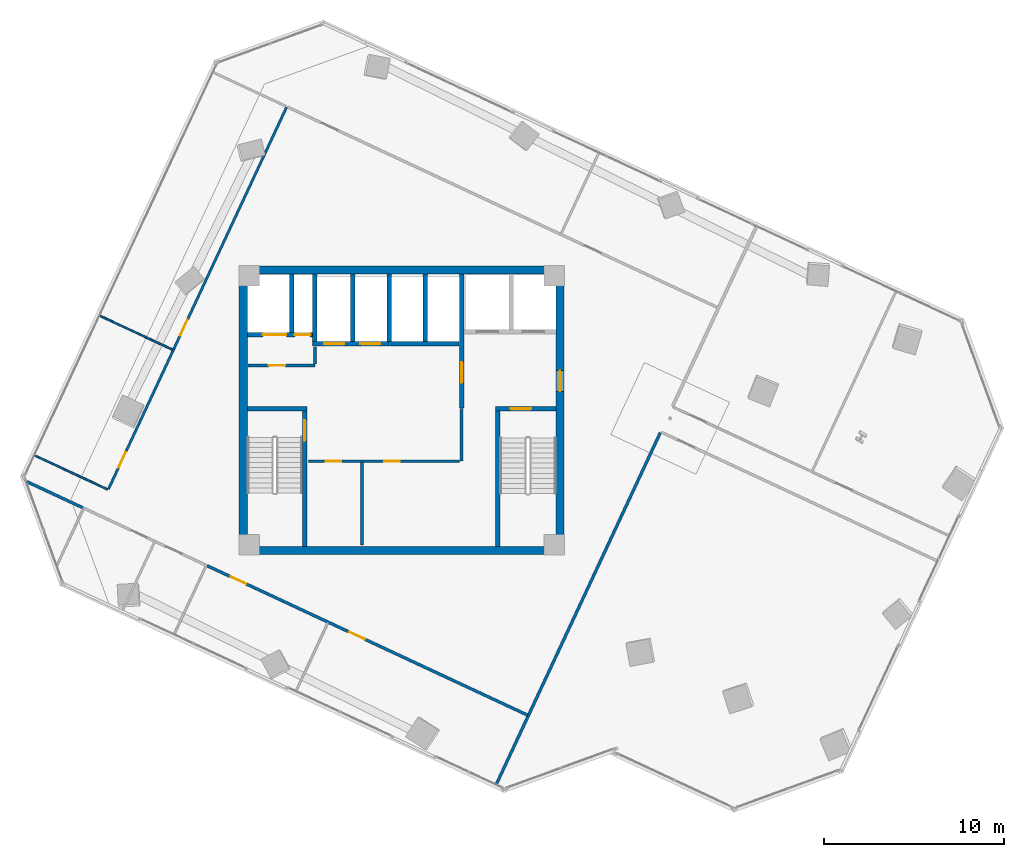
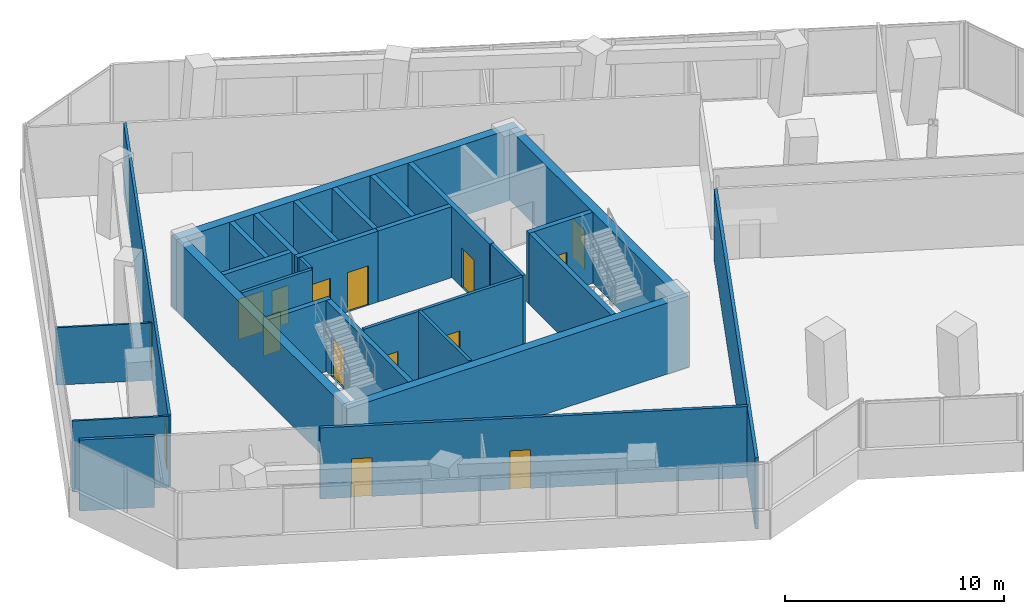
# One storey, part 17 of 23: 28 walls, 15 doors, 15 openings.
"""IFC4 building model written with IfcOpenShell, lengths in metres."""

from ifc_helpers import new_model, si_unit, direction, frame, frame_2d, origin, place, context, subcontext, project, spatial, rectangle, extrude, source, transform, mapped, material, layer, layer_set, type_object, element, fill, save


model = new_model("IFC4")

# Units and contexts
model_context = context("Model", 3, precision=1e-05, world=origin(), true_north=direction((0.0, 1.0)))
body_context = subcontext(model_context, "Body", "Model", "MODEL_VIEW")
ifc_project = project(units=[si_unit("LENGTHUNIT", "METRE"), si_unit("AREAUNIT", "SQUARE_METRE"), si_unit("VOLUMEUNIT", "CUBIC_METRE"), si_unit("PLANEANGLEUNIT", "RADIAN"), si_unit("MASSUNIT", "GRAM", prefix="KILO")], contexts=[model_context])

# Site, building, storey
site_placement = place(None, origin())
site = spatial("IfcSite", under=ifc_project, at=site_placement, CompositionType="ELEMENT")
building_placement = place(site_placement, origin())
building = spatial("IfcBuilding", under=site, at=building_placement, Name="Torre Montelarca", CompositionType="ELEMENT")
storey_placement = place(building_placement, frame((0.0, 0.0, 158.199951171875)))
storey = spatial("IfcBuildingStorey", under=building, at=storey_placement, Name="L35", CompositionType="ELEMENT", Elevation=158.199951171875)

# Wall, opening, door
ifc_material_1 = material(Name="Concrete C40/50", Category="concrete")
ifc_layer_1 = layer(ifc_material_1, 0.25, Name="Concrete C40/50", Category="concrete")
ifc_layer_set_1 = layer_set([ifc_layer_1], Name="Concrete C40/50")
wall_type_1 = type_object("IfcWallType", Name="CW-SHAFT-250", PredefinedType="SHEAR", material=ifc_layer_set_1)
wall_1_placement = place(storey_placement, frame((12.625, 24.4599609375, 0.0), z_axis=(0.0, 0.0, 1.0), x_axis=(0.0, 1.0, 0.0)))
wall_1 = element("IfcWall", 1, at=wall_1_placement, inside=storey, type_object=wall_type_1, Name="L35 Core Shear Wall SH-ST1-E", PredefinedType="SHEAR", context=body_context, shape_type="SweptSolid", body=[
    extrude(rectangle(XDim=7.489990234375, YDim=0.25, at=frame_2d((3.7451171875, 0.0))), origin(), (0.0, 0.0, 1.0), 3.9599609375),
])
opening_1_placement = place(wall_1_placement, frame((5.85009765625, 0.0, 0.0)))
opening_1 = element("IfcOpeningElement", 2, at=opening_1_placement, cuts=wall_1, Name="Opening FD-ST1", PredefinedType="OPENING", context=body_context, shape_type="SweptSolid", body=[
    extrude(rectangle(XDim=1.14990234375, YDim=2.199951171875, at=frame_2d((0.574951171875, 1.10009765625))), frame((0.0, 0.135009765625, 0.0), z_axis=(0.0, -1.0, 0.0), x_axis=(1.0, 0.0, 0.0)), (0.0, 0.0, 1.0), 0.27001953125),
])
ifc_material_2 = material(Name="Galvanized steel fire door", Category="steel")
door_type_1 = type_object("IfcDoorType", Name="DR-STAIR-115", OperationType="NOTDEFINED", PredefinedType="DOOR", material=ifc_material_2)
shared_shape_1 = source(origin(), body_context, "Body", "SweptSolid", [
    extrude(rectangle(XDim=1.14990234375, YDim=2.199951171875, at=frame_2d((0.574951171875, 1.10009765625))), frame((0.0, 0.02490234375, 0.0), z_axis=(0.0, -1.0, 0.0), x_axis=(1.0, 0.0, 0.0)), (0.0, 0.0, 1.0), 0.050048828125),
])
door_1_placement = place(opening_1_placement, origin())
door_1 = element("IfcDoor", 3, at=door_1_placement, inside=storey, type_object=door_type_1, Name="L35 Exit Stair ST1 Fire Door", OperationType="SINGLE_SWING_RIGHT", OverallHeight=2.199951171875, OverallWidth=1.14990234375, PredefinedType="DOOR", context=body_context, shape_type="MappedRepresentation", body=[
    mapped(shared_shape_1, transform((0.0, 0.0, 0.0), scale=1.0)),
])
fill(opening_1, door_1)

# Walls
wall_2_placement = place(storey_placement, frame((9.4599609375, 32.074951171875, 0.0), z_axis=(0.0, 0.0, 1.0), x_axis=(1.0, 0.0, 0.0)))
element("IfcWall", 4, at=wall_2_placement, inside=storey, type_object=wall_type_1, Name="L35 Core Shear Wall SH-ST1-N", PredefinedType="SHEAR", context=body_context, shape_type="SweptSolid", body=[
    extrude(rectangle(XDim=3.2900390625, YDim=0.25, at=frame_2d((1.64501953125, 0.0))), origin(), (0.0, 0.0, 1.0), 3.9599609375),
])
wall_3_placement = place(storey_placement, frame((23.31494140625, 24.4599609375, 0.0), z_axis=(0.0, 0.0, 1.0), x_axis=(0.0, 1.0, 0.0)))
element("IfcWall", 5, at=wall_3_placement, inside=storey, type_object=wall_type_1, Name="L35 Core Shear Wall SH-ST2-W", PredefinedType="SHEAR", context=body_context, shape_type="SweptSolid", body=[
    extrude(rectangle(XDim=7.489990234375, YDim=0.25, at=frame_2d((3.7451171875, 0.0))), origin(), (0.0, 0.0, 1.0), 3.9599609375),
])

# Wall, opening, door
wall_4_placement = place(storey_placement, frame((23.18994140625, 32.074951171875, 0.0), z_axis=(0.0, 0.0, 1.0), x_axis=(1.0, 0.0, 0.0)))
wall_4 = element("IfcWall", 6, at=wall_4_placement, inside=storey, type_object=wall_type_1, Name="L35 Core Shear Wall SH-ST2-N", PredefinedType="SHEAR", context=body_context, shape_type="SweptSolid", body=[
    extrude(rectangle(XDim=3.35009765625, YDim=0.25, at=frame_2d((1.675048828125, 0.0))), origin(), (0.0, 0.0, 1.0), 3.9599609375),
])
opening_2_placement = place(wall_4_placement, frame((0.85009765625, 0.0, 0.0)))
opening_2 = element("IfcOpeningElement", 7, at=opening_2_placement, cuts=wall_4, Name="Opening FD-ST1", PredefinedType="OPENING", context=body_context, shape_type="SweptSolid", body=[
    extrude(rectangle(XDim=1.14990234375, YDim=2.199951171875, at=frame_2d((0.574951171875, 1.10009765625))), frame((0.0, 0.135009765625, 0.0), z_axis=(0.0, -1.0, 0.0), x_axis=(1.0, 0.0, 0.0)), (0.0, 0.0, 1.0), 0.27001953125),
])
door_2_placement = place(opening_2_placement, origin())
door_2 = element("IfcDoor", 8, at=door_2_placement, inside=storey, type_object=door_type_1, Name="L35 Exit Stair ST2 Fire Door", OperationType="SINGLE_SWING_RIGHT", OverallHeight=2.199951171875, OverallWidth=1.14990234375, PredefinedType="DOOR", context=body_context, shape_type="MappedRepresentation", body=[
    mapped(shared_shape_1, transform((0.0, 0.0, 0.0), scale=1.0)),
])
fill(opening_2, door_2)

wall_5_placement = place(storey_placement, frame((21.320068359375, 32.1201171875, 0.0), z_axis=(0.0, 0.0, 1.0), x_axis=(0.0, 1.0, 0.0)))
wall_5 = element("IfcWall", 9, at=wall_5_placement, inside=storey, type_object=wall_type_1, Name="L35 Core Shear Wall SH-FFL-W", PredefinedType="SHEAR", context=body_context, shape_type="SweptSolid", body=[
    extrude(rectangle(XDim=7.419921875, YDim=0.25, at=frame_2d((3.7099609375, 0.0))), origin(), (0.0, 0.0, 1.0), 3.9599609375),
])
opening_3_placement = place(wall_5_placement, frame((1.39990234375, 0.0, 0.0)))
opening_3 = element("IfcOpeningElement", 10, at=opening_3_placement, cuts=wall_5, Name="Opening FD-LB1", PredefinedType="OPENING", context=body_context, shape_type="SweptSolid", body=[
    extrude(rectangle(XDim=1.14990234375, YDim=2.199951171875, at=frame_2d((0.574951171875, 1.10009765625))), frame((0.0, 0.135009765625, 0.0), z_axis=(0.0, -1.0, 0.0), x_axis=(1.0, 0.0, 0.0)), (0.0, 0.0, 1.0), 0.27001953125),
])
ifc_material_3 = material(Name="Acoustic timber-veneered fire door", Category="wood")
door_type_2 = type_object("IfcDoorType", Name="DR-LOBBY-115", OperationType="NOTDEFINED", PredefinedType="DOOR", material=ifc_material_3)
shared_shape_2 = source(origin(), body_context, "Body", "SweptSolid", [
    extrude(rectangle(XDim=1.14990234375, YDim=2.199951171875, at=frame_2d((0.574951171875, 1.10009765625))), frame((0.0, 0.02490234375, 0.0), z_axis=(0.0, -1.0, 0.0), x_axis=(1.0, 0.0, 0.0)), (0.0, 0.0, 1.0), 0.050048828125),
])
door_3_placement = place(opening_3_placement, origin())
door_3 = element("IfcDoor", 11, at=door_3_placement, inside=storey, type_object=door_type_2, Name="L35 Lift Lobby to Firefighting Lobby Smoke Door", OperationType="SINGLE_SWING_LEFT", OverallHeight=2.199951171875, OverallWidth=1.14990234375, PredefinedType="DOOR", context=body_context, shape_type="MappedRepresentation", body=[
    mapped(shared_shape_2, transform((0.0, 0.0, 0.0), scale=1.0)),
])
fill(opening_3, door_3)

# Wall, openings, doors
wall_6_placement = place(storey_placement, frame((9.4599609375, 36.179931640625, 0.0), z_axis=(0.0, 0.0, 1.0), x_axis=(1.0, 0.0, 0.0)))
wall_6 = element("IfcWall", 12, at=wall_6_placement, inside=storey, type_object=wall_type_1, Name="L35 Core Shear Wall SH-SV1-S", PredefinedType="SHEAR", context=body_context, shape_type="SweptSolid", body=[
    extrude(rectangle(XDim=3.7900390625, YDim=0.25, at=frame_2d((1.89501953125, 0.0))), origin(), (0.0, 0.0, 1.0), 3.9599609375),
])
opening_4_placement = place(wall_6_placement, frame((2.6201171875, 0.0, 0.0)))
opening_4 = element("IfcOpeningElement", 13, at=opening_4_placement, cuts=wall_6, Name="Opening FD-085", PredefinedType="OPENING", context=body_context, shape_type="SweptSolid", body=[
    extrude(rectangle(XDim=0.85009765625, YDim=2.10009765625, at=frame_2d((0.425048828125, 1.050048828125))), frame((0.0, 0.135009765625, 0.0), z_axis=(0.0, -1.0, 0.0), x_axis=(1.0, 0.0, 0.0)), (0.0, 0.0, 1.0), 0.27001953125),
])
opening_5_placement = place(wall_6_placement, frame((0.85009765625, 0.0, 0.0)))
opening_5 = element("IfcOpeningElement", 14, at=opening_5_placement, cuts=wall_6, Name="Opening LD-130", PredefinedType="OPENING", context=body_context, shape_type="SweptSolid", body=[
    extrude(rectangle(XDim=1.300048828125, YDim=2.25, at=frame_2d((0.64990234375, 1.125))), frame((0.0, 0.135009765625, 0.0), z_axis=(0.0, -1.0, 0.0), x_axis=(1.0, 0.0, 0.0)), (0.0, 0.0, 1.0), 0.27001953125),
])
ifc_material_4 = material(Name="Steel riser access fire door", Category="steel")
door_type_3 = type_object("IfcDoorType", Name="DR-RISER-085", OperationType="NOTDEFINED", PredefinedType="DOOR", material=ifc_material_4)
shared_shape_3 = source(origin(), body_context, "Body", "SweptSolid", [
    extrude(rectangle(XDim=0.85009765625, YDim=2.10009765625, at=frame_2d((0.425048828125, 1.050048828125))), frame((0.0, 0.02490234375, 0.0), z_axis=(0.0, -1.0, 0.0), x_axis=(1.0, 0.0, 0.0)), (0.0, 0.0, 1.0), 0.050048828125),
])
door_4_placement = place(opening_4_placement, origin())
door_4 = element("IfcDoor", 15, at=door_4_placement, inside=storey, type_object=door_type_3, Name="L35 Electrical Riser Shaft Access Door", OperationType="SINGLE_SWING_RIGHT", OverallHeight=2.10009765625, OverallWidth=0.85009765625, PredefinedType="DOOR", context=body_context, shape_type="MappedRepresentation", body=[
    mapped(shared_shape_3, transform((0.0, 0.0, 0.0), scale=1.0)),
])
fill(opening_4, door_4)
ifc_material_5 = material(Name="Brushed stainless steel AISI 316", Category="steel")
door_type_4 = type_object("IfcDoorType", Name="DR-LIFT-130", OperationType="SLIDING_TO_LEFT", PredefinedType="DOOR", material=ifc_material_5)
shared_shape_4 = source(origin(), body_context, "Body", "SweptSolid", [
    extrude(rectangle(XDim=1.300048828125, YDim=2.25, at=frame_2d((0.64990234375, 1.125))), frame((0.0, 0.02490234375, 0.0), z_axis=(0.0, -1.0, 0.0), x_axis=(1.0, 0.0, 0.0)), (0.0, 0.0, 1.0), 0.050048828125),
])
door_5_placement = place(opening_5_placement, origin())
door_5 = element("IfcDoor", 16, at=door_5_placement, inside=storey, type_object=door_type_4, Name="L35 Lift Landing Sliding Door SV-1", OperationType="SLIDING_TO_LEFT", OverallHeight=2.25, OverallWidth=1.300048828125, PredefinedType="DOOR", context=body_context, shape_type="MappedRepresentation", body=[
    mapped(shared_shape_4, transform((0.0, 0.0, 0.0), scale=1.0)),
])
fill(opening_5, door_5)

# Wall
wall_7_placement = place(storey_placement, frame((11.89990234375, 36.31005859375, 0.0), z_axis=(0.0, 0.0, 1.0), x_axis=(0.0, 1.0, 0.0)))
element("IfcWall", 17, at=wall_7_placement, inside=storey, type_object=wall_type_1, Name="L35 Core Shear Wall SH-SV1-E", PredefinedType="SHEAR", context=body_context, shape_type="SweptSolid", body=[
    extrude(rectangle(XDim=3.22998046875, YDim=0.25, at=frame_2d((1.614990234375, 0.0))), origin(), (0.0, 0.0, 1.0), 3.9599609375),
])

# Wall, openings, doors
wall_8_placement = place(storey_placement, frame((13.06005859375, 35.679931640625, 0.0), z_axis=(0.0, 0.0, 1.0), x_axis=(1.0, 0.0, 0.0)))
wall_8 = element("IfcWall", 18, at=wall_8_placement, inside=storey, type_object=wall_type_1, Name="L35 Core Shear Wall SH-PLM-S", PredefinedType="SHEAR", context=body_context, shape_type="SweptSolid", body=[
    extrude(rectangle(XDim=4.25, YDim=0.25, at=frame_2d((2.125, 0.0))), origin(), (0.0, 0.0, 1.0), 3.9599609375),
])
opening_6_placement = place(wall_8_placement, frame((0.64990234375, 0.0, 0.0)))
opening_6 = element("IfcOpeningElement", 19, at=opening_6_placement, cuts=wall_8, Name="Opening LD-110", PredefinedType="OPENING", context=body_context, shape_type="SweptSolid", body=[
    extrude(rectangle(XDim=1.10009765625, YDim=2.199951171875, at=frame_2d((0.550048828125, 1.10009765625))), frame((0.0, 0.135009765625, 0.0), z_axis=(0.0, -1.0, 0.0), x_axis=(1.0, 0.0, 0.0)), (0.0, 0.0, 1.0), 0.27001953125),
])
opening_7_placement = place(wall_8_placement, frame((2.64990234375, 0.0, 0.0)))
opening_7 = element("IfcOpeningElement", 20, at=opening_7_placement, cuts=wall_8, Name="Opening LD-110", PredefinedType="OPENING", context=body_context, shape_type="SweptSolid", body=[
    extrude(rectangle(XDim=1.10009765625, YDim=2.199951171875, at=frame_2d((0.550048828125, 1.10009765625))), frame((0.0, 0.135009765625, 0.0), z_axis=(0.0, -1.0, 0.0), x_axis=(1.0, 0.0, 0.0)), (0.0, 0.0, 1.0), 0.27001953125),
])
door_type_5 = type_object("IfcDoorType", Name="DR-LIFT-110", OperationType="SLIDING_TO_LEFT", PredefinedType="DOOR", material=ifc_material_5)
shared_shape_5 = source(origin(), body_context, "Body", "SweptSolid", [
    extrude(rectangle(XDim=1.10009765625, YDim=2.199951171875, at=frame_2d((0.550048828125, 1.10009765625))), frame((0.0, 0.02490234375, 0.0), z_axis=(0.0, -1.0, 0.0), x_axis=(1.0, 0.0, 0.0)), (0.0, 0.0, 1.0), 0.050048828125),
])
door_6_placement = place(opening_6_placement, origin())
door_6 = element("IfcDoor", 21, at=door_6_placement, inside=storey, type_object=door_type_5, Name="L35 Lift Landing Sliding Door PL-M1", OperationType="SLIDING_TO_LEFT", OverallHeight=2.199951171875, OverallWidth=1.10009765625, PredefinedType="DOOR", context=body_context, shape_type="MappedRepresentation", body=[
    mapped(shared_shape_5, transform((0.0, 0.0, 0.0), scale=1.0)),
])
fill(opening_6, door_6)
door_7_placement = place(opening_7_placement, origin())
door_7 = element("IfcDoor", 22, at=door_7_placement, inside=storey, type_object=door_type_5, Name="L35 Lift Landing Sliding Door PL-M2", OperationType="SLIDING_TO_RIGHT", OverallHeight=2.199951171875, OverallWidth=1.10009765625, PredefinedType="DOOR", context=body_context, shape_type="MappedRepresentation", body=[
    mapped(shared_shape_5, transform((0.0, 0.0, 0.0), scale=1.0)),
])
fill(opening_7, door_7)

# Walls
for number, where, z_axis, x_axis, name in (
    (23, (13.179931640625, 35.81005859375, 0.0), (0.0, 0.0, 1.0), (0.0, 1.0, 0.0), "L35 Core Shear Wall SH-PLM-W"),
    (24, (15.280029296875, 35.81005859375, 0.0), (0.0, 0.0, 1.0), (0.0, 1.0, 0.0), "L35 Core Shear Wall SH-PLM-M"),
):
    element("IfcWall", number, at=place(storey_placement, frame(where, z_axis=z_axis, x_axis=x_axis)), inside=storey, type_object=wall_type_1, Name=name, PredefinedType="SHEAR", context=body_context, shape_type="SweptSolid", body=[
        extrude(rectangle(XDim=3.72998046875, YDim=0.25, at=frame_2d((1.864990234375, 0.0))), origin(), (0.0, 0.0, 1.0), 3.9599609375),
    ])
wall_9_placement = place(storey_placement, frame((17.320068359375, 35.679931640625, 0.0), z_axis=(0.0, 0.0, 1.0), x_axis=(1.0, 0.0, 0.0)))
element("IfcWall", 25, at=wall_9_placement, inside=storey, type_object=wall_type_1, Name="L35 Core Shear Wall SH-PLH-S", PredefinedType="SHEAR", context=body_context, shape_type="SweptSolid", body=[
    extrude(rectangle(XDim=3.869873046875, YDim=0.25, at=frame_2d((1.93505859375, 0.0))), origin(), (0.0, 0.0, 1.0), 3.9599609375),
])
for number, where, z_axis, x_axis, name in (
    (26, (17.320068359375, 35.81005859375, 0.0), (0.0, 0.0, 1.0), (0.0, 1.0, 0.0), "L35 Core Shear Wall SH-PLH-W"),
    (27, (19.320068359375, 35.81005859375, 0.0), (0.0, 0.0, 1.0), (0.0, 1.0, 0.0), "L35 Core Shear Wall SH-PLH-M"),
):
    element("IfcWall", number, at=place(storey_placement, frame(where, z_axis=z_axis, x_axis=x_axis)), inside=storey, type_object=wall_type_1, Name=name, PredefinedType="SHEAR", context=body_context, shape_type="SweptSolid", body=[
        extrude(rectangle(XDim=3.72998046875, YDim=0.25, at=frame_2d((1.864990234375, 0.0))), origin(), (0.0, 0.0, 1.0), 3.9599609375),
    ])
ifc_material_6 = material(Name="Concrete C55/67", Category="concrete")
ifc_layer_2 = layer(ifc_material_6, 0.449951171875, Name="Concrete C55/67", Category="concrete")
ifc_layer_set_2 = layer_set([ifc_layer_2], Name="Concrete C55/67")
wall_type_2 = type_object("IfcWallType", Name="CW-SHEAR-450", PredefinedType="SHEAR", material=ifc_layer_set_2)
wall_10_placement = place(storey_placement, frame((9.22509765625, 24.449951171875, 0.0), z_axis=(0.0, 0.0, 1.0), x_axis=(0.0, 1.0, 0.0)))
element("IfcWall", 28, at=wall_10_placement, inside=storey, type_object=wall_type_2, Name="L35 Core Shear Wall CW-W", PredefinedType="SHEAR", context=body_context, shape_type="SweptSolid", body=[
    extrude(rectangle(XDim=15.10009765625, YDim=0.449951171875, at=frame_2d((7.550048828125, 0.0))), origin(), (0.0, 0.0, 1.0), 3.9599609375),
])

# Wall, opening, door
wall_11_placement = place(storey_placement, frame((26.77490234375, 24.449951171875, 0.0), z_axis=(0.0, 0.0, 1.0), x_axis=(0.0, 1.0, 0.0)))
wall_11 = element("IfcWall", 29, at=wall_11_placement, inside=storey, type_object=wall_type_2, Name="L35 Core Shear Wall CW-E", PredefinedType="SHEAR", context=body_context, shape_type="SweptSolid", body=[
    extrude(rectangle(XDim=15.10009765625, YDim=0.449951171875, at=frame_2d((7.550048828125, 0.0))), origin(), (0.0, 0.0, 1.0), 3.9599609375),
])
opening_8_placement = place(wall_11_placement, frame((8.60009765625, 0.0, 0.0)))
opening_8 = element("IfcOpeningElement", 30, at=opening_8_placement, cuts=wall_11, Name="Opening FD-LB1", PredefinedType="OPENING", context=body_context, shape_type="SweptSolid", body=[
    extrude(rectangle(XDim=1.14990234375, YDim=2.199951171875, at=frame_2d((0.574951171875, 1.10009765625))), frame((0.0, 0.23486328125, 0.0), z_axis=(0.0, -1.0, 0.0), x_axis=(1.0, 0.0, 0.0)), (0.0, 0.0, 1.0), 0.469970703125),
])
door_8_placement = place(opening_8_placement, origin())
door_8 = element("IfcDoor", 31, at=door_8_placement, inside=storey, type_object=door_type_2, Name="L35 Firefighting Lift Lobby Corridor Fire Door", OperationType="SINGLE_SWING_RIGHT", OverallHeight=2.199951171875, OverallWidth=1.14990234375, PredefinedType="DOOR", context=body_context, shape_type="MappedRepresentation", body=[
    mapped(shared_shape_2, transform((0.0, 0.0, 0.0), scale=1.0)),
])
fill(opening_8, door_8)

# Walls
for number, where, z_axis, x_axis, name in (
    (32, (9.0, 24.22509765625, 0.0), (0.0, 0.0, 1.0), (1.0, 0.0, 0.0), "L35 Core Shear Wall CW-S1"),
    (33, (9.0, 39.77490234375, 0.0), (0.0, 0.0, 1.0), (1.0, 0.0, 0.0), "L35 Core Shear Wall CW-N1"),
):
    element("IfcWall", number, at=place(storey_placement, frame(where, z_axis=z_axis, x_axis=x_axis)), inside=storey, type_object=wall_type_2, Name=name, PredefinedType="SHEAR", context=body_context, shape_type="SweptSolid", body=[
        extrude(rectangle(XDim=18.0, YDim=0.449951171875, at=frame_2d((9.0, 0.0))), origin(), (0.0, 0.0, 1.0), 3.9599609375),
    ])

# Wall, opening, door
ifc_material_7 = material(Name="Gypsum plasterboard on steel stud", Category="steel")
ifc_layer_3 = layer(ifc_material_7, 0.159912109375, Name="Gypsum plasterboard on steel stud", Category="steel")
ifc_layer_set_3 = layer_set([ifc_layer_3], Name="Gypsum plasterboard on steel stud")
wall_type_3 = type_object("IfcWallType", Name="PW-FIRE-160", PredefinedType="PARTITIONING", material=ifc_layer_set_3)
wall_12_placement = place(storey_placement, frame((9.489990234375, 34.47998046875, 0.0), z_axis=(0.0, 0.0, 1.0), x_axis=(1.0, 0.0, 0.0)))
wall_12 = element("IfcWall", 34, at=wall_12_placement, inside=storey, type_object=wall_type_3, Name="L35 Interior Partition CW-L35-SVS", PredefinedType="PARTITIONING", context=body_context, shape_type="SweptSolid", body=[
    extrude(rectangle(XDim=3.699951171875, YDim=0.159912109375, at=frame_2d((1.85009765625, 0.0))), origin(), (0.0, 0.0, 1.0), 3.9599609375),
])
opening_9_placement = place(wall_12_placement, frame((1.14990234375, 0.0, 0.0)))
opening_9 = element("IfcOpeningElement", 35, at=opening_9_placement, cuts=wall_12, Name="Opening FD-090", PredefinedType="OPENING", context=body_context, shape_type="SweptSolid", body=[
    extrude(rectangle(XDim=0.89990234375, YDim=2.14990234375, at=frame_2d((0.449951171875, 1.074951171875))), frame((0.0, 0.08984375, 0.0), z_axis=(0.0, -1.0, 0.0), x_axis=(1.0, 0.0, 0.0)), (0.0, 0.0, 1.0), 0.179931640625),
])
ifc_material_8 = material(Name="Steel service fire door", Category="steel")
door_type_6 = type_object("IfcDoorType", Name="DR-FIRE-090", OperationType="NOTDEFINED", PredefinedType="DOOR", material=ifc_material_8)
shared_shape_6 = source(origin(), body_context, "Body", "SweptSolid", [
    extrude(rectangle(XDim=0.89990234375, YDim=2.14990234375, at=frame_2d((0.449951171875, 1.074951171875))), frame((0.0, 0.02490234375, 0.0), z_axis=(0.0, -1.0, 0.0), x_axis=(1.0, 0.0, 0.0)), (0.0, 0.0, 1.0), 0.050048828125),
])
door_9_placement = place(opening_9_placement, origin())
door_9 = element("IfcDoor", 36, at=door_9_placement, inside=storey, type_object=door_type_6, Name="L35 Interior Door 01", OperationType="SINGLE_SWING_RIGHT", OverallHeight=2.14990234375, OverallWidth=0.89990234375, PredefinedType="DOOR", context=body_context, shape_type="MappedRepresentation", body=[
    mapped(shared_shape_6, transform((0.0, 0.0, 0.0), scale=1.0)),
])
fill(opening_9, door_9)

# Wall
wall_13_placement = place(storey_placement, frame((13.199951171875, 34.570068359375, 0.0), z_axis=(0.0, 0.0, 1.0), x_axis=(0.0, 1.0, 0.0)))
element("IfcWall", 37, at=wall_13_placement, inside=storey, type_object=wall_type_3, Name="L35 Interior Partition CW-L35-SVE", PredefinedType="PARTITIONING", context=body_context, shape_type="SweptSolid", body=[
    extrude(rectangle(XDim=0.93994140625, YDim=0.159912109375, at=frame_2d((0.469970703125, 0.0))), origin(), (0.0, 0.0, 1.0), 3.9599609375),
])

# Wall, openings, doors
wall_14_placement = place(storey_placement, frame((12.840087890625, 29.179931640625, 0.0), z_axis=(0.0, 0.0, 1.0), x_axis=(1.0, 0.0, 0.0)))
wall_14 = element("IfcWall", 38, at=wall_14_placement, inside=storey, type_object=wall_type_3, Name="L35 Interior Partition CW-L35-FRDN", PredefinedType="PARTITIONING", context=body_context, shape_type="SweptSolid", body=[
    extrude(rectangle(XDim=8.369873046875, YDim=0.159912109375, at=frame_2d((4.18505859375, 0.0))), origin(), (0.0, 0.0, 1.0), 3.9599609375),
])
opening_10_placement = place(wall_14_placement, frame((0.949951171875, 0.0, 0.0)))
opening_10 = element("IfcOpeningElement", 39, at=opening_10_placement, cuts=wall_14, Name="Opening FD-085", PredefinedType="OPENING", context=body_context, shape_type="SweptSolid", body=[
    extrude(rectangle(XDim=0.85009765625, YDim=2.10009765625, at=frame_2d((0.425048828125, 1.050048828125))), frame((0.0, 0.08984375, 0.0), z_axis=(0.0, -1.0, 0.0), x_axis=(1.0, 0.0, 0.0)), (0.0, 0.0, 1.0), 0.179931640625),
])
opening_11_placement = place(wall_14_placement, frame((4.199951171875, 0.0, 0.0)))
opening_11 = element("IfcOpeningElement", 40, at=opening_11_placement, cuts=wall_14, Name="Opening FD-085", PredefinedType="OPENING", context=body_context, shape_type="SweptSolid", body=[
    extrude(rectangle(XDim=0.85009765625, YDim=2.10009765625, at=frame_2d((0.425048828125, 1.050048828125))), frame((0.0, 0.08984375, 0.0), z_axis=(0.0, -1.0, 0.0), x_axis=(1.0, 0.0, 0.0)), (0.0, 0.0, 1.0), 0.179931640625),
])
door_10_placement = place(opening_10_placement, origin())
door_10 = element("IfcDoor", 41, at=door_10_placement, inside=storey, type_object=door_type_3, Name="L35 Interior Door 02", OperationType="SINGLE_SWING_LEFT", OverallHeight=2.10009765625, OverallWidth=0.85009765625, PredefinedType="DOOR", context=body_context, shape_type="MappedRepresentation", body=[
    mapped(shared_shape_3, transform((0.0, 0.0, 0.0), scale=1.0)),
])
fill(opening_10, door_10)
door_11_placement = place(opening_11_placement, origin())
door_11 = element("IfcDoor", 42, at=door_11_placement, inside=storey, type_object=door_type_3, Name="L35 Interior Door 03", OperationType="SINGLE_SWING_RIGHT", OverallHeight=2.10009765625, OverallWidth=0.85009765625, PredefinedType="DOOR", context=body_context, shape_type="MappedRepresentation", body=[
    mapped(shared_shape_3, transform((0.0, 0.0, 0.0), scale=1.0)),
])
fill(opening_11, door_11)

# Walls
wall_15_placement = place(storey_placement, frame((15.800048828125, 24.5400390625, 0.0), z_axis=(0.0, 0.0, 1.0), x_axis=(0.0, 1.0, 0.0)))
element("IfcWall", 43, at=wall_15_placement, inside=storey, type_object=wall_type_3, Name="L35 Interior Partition CW-L35-FRD1", PredefinedType="PARTITIONING", context=body_context, shape_type="SweptSolid", body=[
    extrude(rectangle(XDim=4.599853515625, YDim=0.159912109375, at=frame_2d((2.2998046875, 0.0))), origin(), (0.0, 0.0, 1.0), 3.9599609375),
])
wall_16_placement = place(storey_placement, frame((21.320068359375, 29.18994140625, 0.0), z_axis=(0.0, 0.0, 1.0), x_axis=(0.0, 1.0, 0.0)))
element("IfcWall", 44, at=wall_16_placement, inside=storey, type_object=wall_type_3, Name="L35 Interior Partition CW-L35-FRE", PredefinedType="PARTITIONING", context=body_context, shape_type="SweptSolid", body=[
    extrude(rectangle(XDim=2.920166015625, YDim=0.159912109375, at=frame_2d((1.4599609375, 0.0))), origin(), (0.0, 0.0, 1.0), 3.9599609375),
])
wall_17_placement = place(storey_placement, frame((-2.76708984375, 28.045166015625, 0.0), z_axis=(0.0, 0.0, 1.0), x_axis=(0.906313941013, -0.422605064246, 0.0)))
element("IfcWall", 45, at=wall_17_placement, inside=storey, type_object=wall_type_3, Name="L35 Interior Partition W-L35-SOCCW", PredefinedType="PARTITIONING", context=body_context, shape_type="SweptSolid", body=[
    extrude(rectangle(XDim=3.43212890625, YDim=0.159912109375, at=frame_2d((1.716064453125, 0.0))), origin(), (0.0, 0.0, 1.0), 3.9599609375),
])

# Wall, openings, doors
wall_18_placement = place(storey_placement, frame((7.21337890625, 23.391357421875, 0.0), z_axis=(0.0, 0.0, 1.0), x_axis=(0.906304602938, -0.422625089996, 0.0)))
wall_18 = element("IfcWall", 46, at=wall_18_placement, inside=storey, type_object=wall_type_3, Name="L35 Interior Partition W-L35-SOCCN", PredefinedType="PARTITIONING", context=body_context, shape_type="SweptSolid", body=[
    extrude(rectangle(XDim=19.60986328125, YDim=0.159912109375, at=frame_2d((9.804931640625, 0.0))), origin(), (0.0, 0.0, 1.0), 3.9599609375),
])
opening_12_placement = place(wall_18_placement, frame((1.449951171875, 0.0, 0.0)))
opening_12 = element("IfcOpeningElement", 47, at=opening_12_placement, cuts=wall_18, Name="Opening FD-095", PredefinedType="OPENING", context=body_context, shape_type="SweptSolid", body=[
    extrude(rectangle(XDim=0.949951171875, YDim=2.14990234375, at=frame_2d((0.47509765625, 1.074951171875))), frame((0.0, 0.08984375, 0.0), z_axis=(0.0, -1.0, 0.0), x_axis=(1.0, 0.0, 0.0)), (0.0, 0.0, 1.0), 0.179931640625),
])
opening_13_placement = place(wall_18_placement, frame((8.699951171875, 0.0, 0.0)))
opening_13 = element("IfcOpeningElement", 48, at=opening_13_placement, cuts=wall_18, Name="Opening FD-095", PredefinedType="OPENING", context=body_context, shape_type="SweptSolid", body=[
    extrude(rectangle(XDim=0.949951171875, YDim=2.14990234375, at=frame_2d((0.47509765625, 1.074951171875))), frame((0.0, 0.08984375, 0.0), z_axis=(0.0, -1.0, 0.0), x_axis=(1.0, 0.0, 0.0)), (0.0, 0.0, 1.0), 0.179931640625),
])
ifc_material_9 = material(Name="Timber fire-rated room door", Category="wood")
door_type_7 = type_object("IfcDoorType", Name="DR-FIRE-095", OperationType="NOTDEFINED", PredefinedType="DOOR", material=ifc_material_9)
shared_shape_7 = source(origin(), body_context, "Body", "SweptSolid", [
    extrude(rectangle(XDim=0.949951171875, YDim=2.14990234375, at=frame_2d((0.47509765625, 1.074951171875))), frame((0.0, 0.02490234375, 0.0), z_axis=(0.0, -1.0, 0.0), x_axis=(1.0, 0.0, 0.0)), (0.0, 0.0, 1.0), 0.050048828125),
])
door_12_placement = place(opening_12_placement, origin())
door_12 = element("IfcDoor", 49, at=door_12_placement, inside=storey, type_object=door_type_7, Name="L35 Interior Door 06", OperationType="SINGLE_SWING_RIGHT", OverallHeight=2.14990234375, OverallWidth=0.949951171875, PredefinedType="DOOR", context=body_context, shape_type="MappedRepresentation", body=[
    mapped(shared_shape_7, transform((0.0, 0.0, 0.0), scale=1.0)),
])
fill(opening_12, door_12)
door_13_placement = place(opening_13_placement, origin())
door_13 = element("IfcDoor", 50, at=door_13_placement, inside=storey, type_object=door_type_7, Name="L35 Interior Door 07", OperationType="SINGLE_SWING_LEFT", OverallHeight=2.14990234375, OverallWidth=0.949951171875, PredefinedType="DOOR", context=body_context, shape_type="MappedRepresentation", body=[
    mapped(shared_shape_7, transform((0.0, 0.0, 0.0), scale=1.0)),
])
fill(opening_13, door_13)

# Walls
wall_19_placement = place(storey_placement, frame((23.255615234375, 11.298583984375, 0.0), z_axis=(0.0, 0.0, 1.0), x_axis=(0.422623489462, 0.906305349292, 0.0)))
element("IfcWall", 51, at=wall_19_placement, inside=storey, type_object=wall_type_3, Name="L35 Interior Partition W-L35-ECS", PredefinedType="PARTITIONING", context=body_context, shape_type="SweptSolid", body=[
    extrude(rectangle(XDim=21.479736328125, YDim=0.159912109375, at=frame_2d((10.73974609375, 0.0))), origin(), (0.0, 0.0, 1.0), 3.9599609375),
])
ifc_material_10 = material(Name="Acoustic laminated glass partition", Category="glass")
ifc_layer_4 = layer(ifc_material_10, 0.10009765625, Name="Acoustic laminated glass partition", Category="glass")
ifc_layer_set_4 = layer_set([ifc_layer_4], Name="Acoustic laminated glass partition")
wall_type_4 = type_object("IfcWallType", Name="PW-GLAZ-100", PredefinedType="PARTITIONING", material=ifc_layer_set_4)
wall_20_placement = place(storey_placement, frame((-2.3125, 29.48828125, 0.0), z_axis=(0.0, 0.0, 1.0), x_axis=(0.906316851894, -0.422598821546, 0.0)))
element("IfcWall", 52, at=wall_20_placement, inside=storey, type_object=wall_type_4, Name="L35 Interior Partition W-L35-WWGS", PredefinedType="PARTITIONING", context=body_context, shape_type="SweptSolid", body=[
    extrude(rectangle(XDim=4.429931640625, YDim=0.10009765625, at=frame_2d((2.21484375, 0.0))), origin(), (0.0, 0.0, 1.0), 3.9599609375),
])
wall_21_placement = place(storey_placement, frame((1.296630859375, 37.228271484375, 0.0), z_axis=(0.0, 0.0, 1.0), x_axis=(0.906295742894, -0.422644089526, 0.0)))
element("IfcWall", 53, at=wall_21_placement, inside=storey, type_object=wall_type_4, Name="L35 Interior Partition W-L35-WWGD-1", PredefinedType="PARTITIONING", context=body_context, shape_type="SweptSolid", body=[
    extrude(rectangle(XDim=4.429931640625, YDim=0.10009765625, at=frame_2d((2.21484375, 0.0))), origin(), (0.0, 0.0, 1.0), 3.195068359375),
])

# Wall, openings, doors
ifc_layer_5 = layer(ifc_material_7, 0.135009765625, Name="Gypsum plasterboard on steel stud", Category="steel")
ifc_layer_set_5 = layer_set([ifc_layer_5], Name="Gypsum plasterboard on steel stud")
wall_type_5 = type_object("IfcWallType", Name="PW-PART-135", PredefinedType="PARTITIONING", material=ifc_layer_set_5)
wall_22_placement = place(storey_placement, frame((1.755615234375, 27.635498046875, 0.0), z_axis=(0.0, 0.0, 1.0), x_axis=(0.422615732035, 0.906308966653, 0.0)))
wall_22 = element("IfcWall", 54, at=wall_22_placement, inside=storey, type_object=wall_type_5, Name="L35 Interior Partition W-L35-WWGE", PredefinedType="PARTITIONING", context=body_context, shape_type="SweptSolid", body=[
    extrude(rectangle(XDim=23.33984375, YDim=0.135009765625, at=frame_2d((11.669921875, 0.0))), origin(), (0.0, 0.0, 1.0), 3.9599609375),
])
opening_14_placement = place(wall_22_placement, frame((1.300048828125, 0.0, 0.0)))
opening_14 = element("IfcOpeningElement", 55, at=opening_14_placement, cuts=wall_22, Name="Opening ID-095", PredefinedType="OPENING", context=body_context, shape_type="SweptSolid", body=[
    extrude(rectangle(XDim=0.949951171875, YDim=2.14990234375, at=frame_2d((0.47509765625, 1.074951171875))), frame((0.0, 0.07763671875, 0.0), z_axis=(0.0, -1.0, 0.0), x_axis=(1.0, 0.0, 0.0)), (0.0, 0.0, 1.0), 0.155029296875),
])
opening_15_placement = place(wall_22_placement, frame((9.39990234375, 0.0, 0.0)))
opening_15 = element("IfcOpeningElement", 56, at=opening_15_placement, cuts=wall_22, Name="Opening ID-095", PredefinedType="OPENING", context=body_context, shape_type="SweptSolid", body=[
    extrude(rectangle(XDim=0.949951171875, YDim=2.14990234375, at=frame_2d((0.47509765625, 1.074951171875))), frame((0.0, 0.07763671875, 0.0), z_axis=(0.0, -1.0, 0.0), x_axis=(1.0, 0.0, 0.0)), (0.0, 0.0, 1.0), 0.155029296875),
])
ifc_material_11 = material(Name="Hardwood acoustic timber veneer", Category="wood")
door_type_8 = type_object("IfcDoorType", Name="DR-INT-095", OperationType="NOTDEFINED", PredefinedType="DOOR", material=ifc_material_11)
shared_shape_8 = source(origin(), body_context, "Body", "SweptSolid", [
    extrude(rectangle(XDim=0.949951171875, YDim=2.14990234375, at=frame_2d((0.47509765625, 1.074951171875))), frame((0.0, 0.02490234375, 0.0), z_axis=(0.0, -1.0, 0.0), x_axis=(1.0, 0.0, 0.0)), (0.0, 0.0, 1.0), 0.050048828125),
])
door_14_placement = place(opening_14_placement, origin())
door_14 = element("IfcDoor", 57, at=door_14_placement, inside=storey, type_object=door_type_8, Name="L35 Interior Door 10", OperationType="SINGLE_SWING_LEFT", OverallHeight=2.14990234375, OverallWidth=0.949951171875, PredefinedType="DOOR", context=body_context, shape_type="MappedRepresentation", body=[
    mapped(shared_shape_8, transform((0.0, 0.0, 0.0), scale=1.0)),
])
fill(opening_14, door_14)
door_15_placement = place(opening_15_placement, origin())
door_15 = element("IfcDoor", 58, at=door_15_placement, inside=storey, type_object=door_type_8, Name="L35 Interior Door 11", OperationType="SINGLE_SWING_RIGHT", OverallHeight=2.14990234375, OverallWidth=0.949951171875, PredefinedType="DOOR", context=body_context, shape_type="MappedRepresentation", body=[
    mapped(shared_shape_8, transform((0.0, 0.0, 0.0), scale=1.0)),
])
fill(opening_15, door_15)

save(model, "model.ifc")
